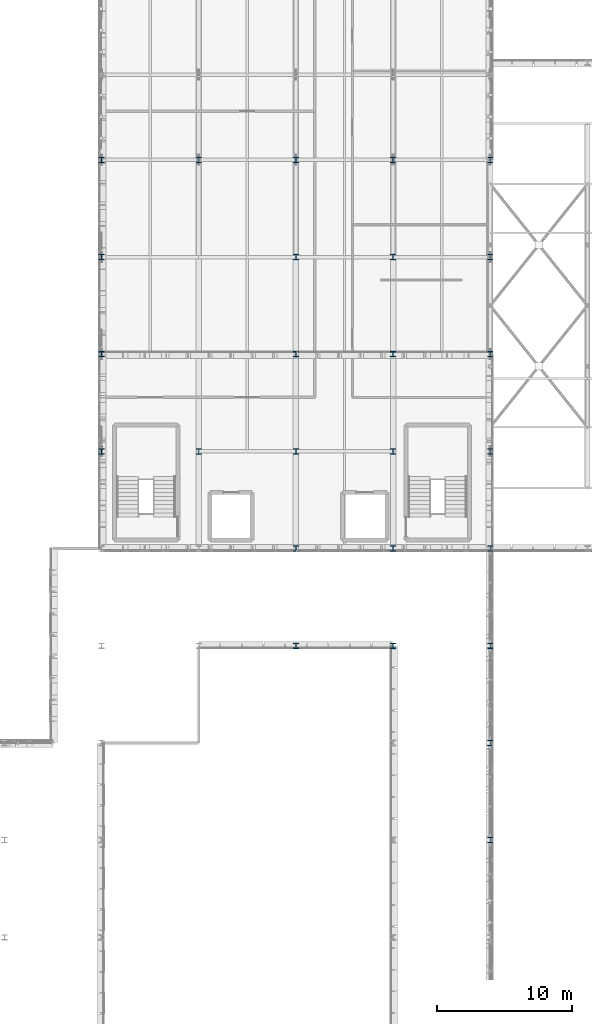
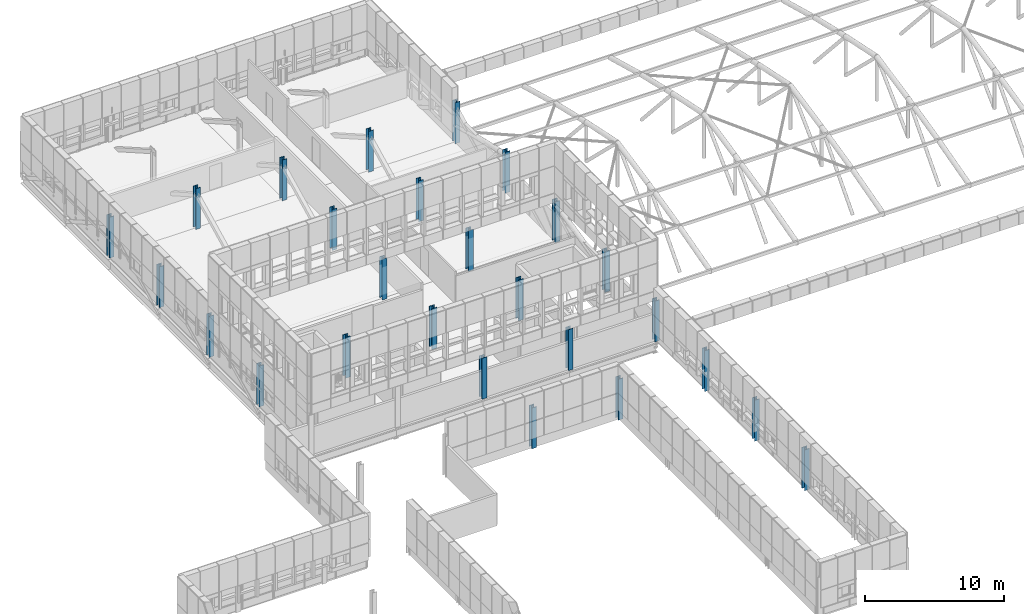
# One storey, part 4 of 96: 26 columns.
"""IFC4 building model written with IfcOpenShell, lengths in metres."""

import ifcopenshell
import ifcopenshell.guid

model = None  # the IFC model being written
_history = None  # IfcOwnerHistory: only IFC2X3 demands one
_inside = {}  # id of a spatial element -> (the spatial element, [elements in it])
_under = {}  # id of a project, library or spatial element -> (it, [spatial elements below it])
_declared = {}  # id of a project -> (the project, [libraries it declares])
_typed = {}  # id of a type object -> (the type object, [elements of that type])
_made_of = {}  # id of a material, layer set ... -> (it, [elements and type objects made of it])


def new_model(schema):
    """Start an empty IFC model of exactly this schema.

    Asked for "IFC4X3", IfcOpenShell would pick the latest addendum, in which some entities
    have other attributes; the version numbers below select the first issue.
    IFC2X3 requires an IfcOwnerHistory on every rooted entity: one is made here for all.
    """
    global model, _history
    if schema == "IFC4X3":
        model = ifcopenshell.file(schema_version=(4, 3, 0, 0))
    else:
        model = ifcopenshell.file(schema=schema)
    _inside.clear()
    _under.clear()
    _declared.clear()
    _typed.clear()
    _made_of.clear()
    _history = None
    if model.schema == "IFC2X3":
        org = make("IfcOrganization", Name="unknown")
        user = make(
            "IfcPersonAndOrganization",
            ThePerson=make("IfcPerson", FamilyName="unknown"),
            TheOrganization=org,
        )
        app = make(
            "IfcApplication",
            ApplicationDeveloper=org,
            Version="unknown",
            ApplicationFullName="unknown",
            ApplicationIdentifier="unknown",
        )
        _history = make(
            "IfcOwnerHistory",
            OwningUser=user,
            OwningApplication=app,
            ChangeAction="ADDED",
            CreationDate=0,
        )
    return model


def make(cls, **values):
    """One entity of the class cls with the attributes given. An attribute that is None is left unset."""
    return model.create_entity(
        cls, **{name: value for name, value in values.items() if value is not None}
    )


def rooted(cls, **values):
    """An entity with a GlobalId (a new one), such as an element, a storey or a relation."""
    return make(cls, GlobalId=ifcopenshell.guid.new(), OwnerHistory=_history, **values)


def si_unit(unit_type, name, prefix=None):
    """IfcSIUnit, for example si_unit("LENGTHUNIT", "METRE", prefix="MILLI")."""
    return make("IfcSIUnit", UnitType=unit_type, Prefix=prefix, Name=name)


def assignment(units):
    """IfcUnitAssignment: the units of a project."""
    return None if units is None else make("IfcUnitAssignment", Units=units)


def point(xyz):
    """IfcCartesianPoint."""
    return None if xyz is None else make("IfcCartesianPoint", Coordinates=xyz)


def direction(xyz):
    """IfcDirection."""
    return None if xyz is None else make("IfcDirection", DirectionRatios=xyz)


def frame(location, z_axis=None, x_axis=None):
    """IfcAxis2Placement3D, a coordinate frame: its origin and axes. An axis left out is left unset."""
    return make(
        "IfcAxis2Placement3D",
        Location=point(location),
        Axis=direction(z_axis),
        RefDirection=direction(x_axis),
    )


def frame_2d(location, x_axis=None):
    """IfcAxis2Placement2D, a coordinate frame in the plane: its origin and x axis."""
    return make(
        "IfcAxis2Placement2D", Location=point(location), RefDirection=direction(x_axis)
    )


def origin():
    """The frame at (0, 0, 0) with its axes left unset."""
    return frame((0.0, 0.0, 0.0))


def origin_2d():
    """The frame at (0, 0) in the plane with its x axis left unset."""
    return frame_2d((0.0, 0.0))


def place(relative_to, where):
    """IfcLocalPlacement: puts the frame where relative to a parent placement (None: the world)."""
    return make(
        "IfcLocalPlacement", PlacementRelTo=relative_to, RelativePlacement=where
    )


def context(
    kind, dimensions, precision=None, world=None, true_north=None, identifier=None
):
    """IfcGeometricRepresentationContext, for example the 3D "Model" context."""
    return make(
        "IfcGeometricRepresentationContext",
        ContextIdentifier=identifier,
        ContextType=kind,
        CoordinateSpaceDimension=dimensions,
        Precision=precision,
        WorldCoordinateSystem=world,
        TrueNorth=true_north,
    )


def subcontext(parent, identifier, kind, view, scale=None):
    """IfcGeometricRepresentationSubContext, for example "Body" below "Model"."""
    return make(
        "IfcGeometricRepresentationSubContext",
        ContextIdentifier=identifier,
        ContextType=kind,
        ParentContext=parent,
        TargetScale=scale,
        TargetView=view,
    )


def project(units=None, contexts=None):
    """IfcProject with its units and contexts."""
    return rooted(
        "IfcProject",
        Name="project",
        RepresentationContexts=contexts,
        UnitsInContext=assignment(units),
    )


def spatial(cls, under=None, at=None, **own):
    """A site, building, storey or space (cls), placed at a placement, below another one or the project."""
    s = rooted(cls, ObjectPlacement=at, **own)
    if under is not None:
        _under.setdefault(under.id(), (under, []))[1].append(s)
    return s


def profile(cls, at=None, kind="AREA", **sizes):
    """A parametric profile (cls). Its sizes go by their IFC names, for example OverallWidth=200.0."""
    return make(cls, ProfileType=kind, Position=at, **sizes)


def i_section(**sizes):
    """IfcIShapeProfileDef."""
    return profile("IfcIShapeProfileDef", **sizes)


def extrude(swept, where, along, depth):
    """IfcExtrudedAreaSolid: the profile swept, set in the frame where, extruded along a direction by depth."""
    return make(
        "IfcExtrudedAreaSolid",
        SweptArea=swept,
        Position=where,
        ExtrudedDirection=direction(along),
        Depth=depth,
    )


def shape(context_of_items, identifier, shape_type, items):
    """IfcShapeRepresentation: the items that make up one representation, for example the "Body"."""
    return make(
        "IfcShapeRepresentation",
        ContextOfItems=context_of_items,
        RepresentationIdentifier=identifier,
        RepresentationType=shape_type,
        Items=items,
    )


def material(Name=None, Category=None):
    """IfcMaterial."""
    return make("IfcMaterial", Name=Name, Category=Category)


def material_profile(
    of_material, cross_section, Name=None, Category=None, Priority=None
):
    """IfcMaterialProfile: a cross section and its material."""
    return make(
        "IfcMaterialProfile",
        Name=Name,
        Material=of_material,
        Profile=cross_section,
        Priority=Priority,
        Category=Category,
    )


def profile_set(profiles, Name=None, composite=None):
    """IfcMaterialProfileSet."""
    return make(
        "IfcMaterialProfileSet",
        Name=Name,
        MaterialProfiles=profiles,
        CompositeProfile=composite,
    )


def made_of(thing, what):
    """Note that an element or type object is made of a material, layer set ...; save() writes the relation."""
    if what is not None:
        _made_of.setdefault(what.id(), (what, []))[1].append(thing)
    return thing


def type_object(cls, material=None, **own):
    """A type object (cls), such as IfcWallType, which elements share."""
    return made_of(rooted(cls, **own), material)


def element(
    cls,
    number,
    at=None,
    inside=None,
    cuts=None,
    type_object=None,
    material=None,
    context=None,
    identifier="Body",
    shape_type=None,
    held_by="IfcProductDefinitionShape",
    body=None,
    shapes=None,
    **own,
):
    """One element of the class cls, such as IfcWall. Its Tag is "e" and its number.

    at: its placement. inside: the storey or other place that contains it. cuts: it is an
    opening in that element (IfcRelVoidsElement). A single representation is given by context,
    identifier, shape_type and body (its items); several are given by shapes. held_by: the class
    of the entity that holds the representations. save() writes the other relations.
    """
    e = rooted(cls, Tag="e%d" % number, ObjectPlacement=at, **own)
    if body is not None:
        shapes = [shape(context, identifier, shape_type, body)]
    if shapes is not None:
        e.Representation = make(held_by, Representations=shapes)
    if inside is not None:
        _inside.setdefault(inside.id(), (inside, []))[1].append(e)
    if cuts is not None:
        rooted(
            "IfcRelVoidsElement", RelatingBuildingElement=cuts, RelatedOpeningElement=e
        )
    if type_object is not None:
        _typed.setdefault(type_object.id(), (type_object, []))[1].append(e)
    return made_of(e, material)


def aggregate(whole, parts):
    """IfcRelAggregates: a whole, such as a stair, and the parts it consists of."""
    return rooted("IfcRelAggregates", RelatingObject=whole, RelatedObjects=parts)


def save(model, path):
    """Write the relations noted so far, then the file.

    IfcRelAggregates (storeys below a building ...), IfcRelContainedInSpatialStructure (elements
    in a storey), IfcRelDefinesByType, IfcRelAssociatesMaterial and IfcRelDeclares: one each for
    every whole, place, type object, material and project.
    """
    for whole, parts in _under.values():
        aggregate(whole, parts)
    for where, things in _inside.values():
        rooted(
            "IfcRelContainedInSpatialStructure",
            RelatedElements=things,
            RelatingStructure=where,
        )
    for kind, things in _typed.values():
        rooted("IfcRelDefinesByType", RelatedObjects=things, RelatingType=kind)
    for what, things in _made_of.values():
        rooted("IfcRelAssociatesMaterial", RelatedObjects=things, RelatingMaterial=what)
    for by, libraries in _declared.values():
        rooted("IfcRelDeclares", RelatingContext=by, RelatedDefinitions=libraries)
    model.write(path)


model = new_model("IFC4")

# Units and contexts
model_context = context("Model", 3, precision=1e-05, world=origin(), true_north=direction((0.0, 1.0)))
body_context = subcontext(model_context, "Body", "Model", "MODEL_VIEW")
ifc_project = project(units=[si_unit("LENGTHUNIT", "METRE"), si_unit("AREAUNIT", "SQUARE_METRE"), si_unit("VOLUMEUNIT", "CUBIC_METRE"), si_unit("PLANEANGLEUNIT", "RADIAN"), si_unit("MASSUNIT", "GRAM", prefix="KILO")], contexts=[model_context])

# Site, building, storey
site_placement = place(None, origin())
site = spatial("IfcSite", under=ifc_project, at=site_placement, CompositionType="ELEMENT")
building_placement = place(site_placement, origin())
building = spatial("IfcBuilding", under=site, at=building_placement, Name="Yarey Park Central Fire Station", CompositionType="ELEMENT")
storey_placement = place(building_placement, frame((0.0, 0.0, 14.39990234375)))
storey = spatial("IfcBuildingStorey", under=building, at=storey_placement, Name="L04", CompositionType="ELEMENT", Elevation=14.39990234375)

# Columns
ifc_material = material(Name="Steel ASTM A992 Gr. 50", Category="steel")
ifc_material_profile_1 = material_profile(ifc_material, i_section(OverallWidth=0.404052734375, OverallDepth=0.406982421875, WebThickness=0.027099609375, FlangeThickness=0.043701171875, at=origin_2d()), Name="W360x347")
ifc_profile_set_1 = profile_set([ifc_material_profile_1], Name="Steel ASTM A992 Gr. 50")
column_type_1 = type_object("IfcColumnType", Name="STR_COL_W360_EXT", PredefinedType="COLUMN", material=ifc_profile_set_1)
for number, where, z_axis, x_axis, name in (
    (1, (28.800048828125, 86.39990234375, 0.0), (0.0, 0.0, 1.0), (1.0, 0.0, 0.0), "COL_L04_X288_Y864"),
    (2, (36.0, 86.39990234375, 0.0), (0.0, 0.0, 1.0), (1.0, 0.0, 0.0), "COL_L04_X360_Y864"),
    (3, (43.199951171875, 86.39990234375, 0.0), (0.0, 0.0, 1.0), (1.0, 0.0, 0.0), "COL_L04_X432_Y864"),
    (4, (50.39990234375, 86.39990234375, 0.0), (0.0, 0.0, 1.0), (1.0, 0.0, 0.0), "COL_L04_X504_Y864"),
    (5, (57.60009765625, 36.0, 0.0), (0.0, 0.0, 1.0), (1.0, 0.0, 0.0), "COL_L04_X576_Y360"),
    (6, (57.60009765625, 43.199951171875, 0.0), (0.0, 0.0, 1.0), (1.0, 0.0, 0.0), "COL_L04_X576_Y432"),
    (7, (57.60009765625, 50.39990234375, 0.0), (0.0, 0.0, 1.0), (1.0, 0.0, 0.0), "COL_L04_X576_Y504"),
    (8, (57.60009765625, 57.60009765625, 0.0), (0.0, 0.0, 1.0), (1.0, 0.0, 0.0), "COL_L04_X576_Y576"),
    (9, (57.60009765625, 64.800048828125, 0.0), (0.0, 0.0, 1.0), (1.0, 0.0, 0.0), "COL_L04_X576_Y648"),
    (10, (57.60009765625, 72.0, 0.0), (0.0, 0.0, 1.0), (1.0, 0.0, 0.0), "COL_L04_X576_Y720"),
    (11, (57.60009765625, 79.199951171875, 0.0), (0.0, 0.0, 1.0), (1.0, 0.0, 0.0), "COL_L04_X576_Y792"),
    (12, (57.60009765625, 86.39990234375, 0.0), (0.0, 0.0, 1.0), (1.0, 0.0, 0.0), "COL_L04_X576_Y864"),
):
    element("IfcColumn", number, at=place(storey_placement, frame(where, z_axis=z_axis, x_axis=x_axis)), inside=storey, type_object=column_type_1, Name=name, PredefinedType="COLUMN", context=body_context, shape_type="SweptSolid", body=[
        extrude(i_section(OverallWidth=0.404052734375, OverallDepth=0.406982421875, WebThickness=0.027099609375, FlangeThickness=0.043701171875, at=origin_2d()), origin(), (0.0, 0.0, 1.0), 3.60009765625),
    ])
ifc_material_profile_2 = material_profile(ifc_material, i_section(OverallWidth=0.404052734375, OverallDepth=0.406982421875, WebThickness=0.027099609375, FlangeThickness=0.043701171875, at=origin_2d()), Name="W360x347")
ifc_profile_set_2 = profile_set([ifc_material_profile_2], Name="Steel ASTM A992 Gr. 50")
column_type_2 = type_object("IfcColumnType", Name="STR_COL_W360_INT", PredefinedType="COLUMN", material=ifc_profile_set_2)
for number, where, z_axis, x_axis, name in (
    (13, (28.800048828125, 64.800048828125, 0.0), (0.0, 0.0, 1.0), (1.0, 0.0, 0.0), "COL_L04_X288_Y648"),
    (14, (28.800048828125, 72.0, 0.0), (0.0, 0.0, 1.0), (1.0, 0.0, 0.0), "COL_L04_X288_Y720"),
    (15, (28.800048828125, 79.199951171875, 0.0), (0.0, 0.0, 1.0), (1.0, 0.0, 0.0), "COL_L04_X288_Y792"),
    (16, (36.0, 64.800048828125, 0.0), (0.0, 0.0, 1.0), (1.0, 0.0, 0.0), "COL_L04_X360_Y648"),
    (17, (43.199951171875, 50.39990234375, 0.0), (0.0, 0.0, 1.0), (1.0, 0.0, 0.0), "COL_L04_X432_Y504"),
    (18, (43.199951171875, 57.60009765625, 0.0), (0.0, 0.0, 1.0), (1.0, 0.0, 0.0), "COL_L04_X432_Y576"),
    (19, (43.199951171875, 64.800048828125, 0.0), (0.0, 0.0, 1.0), (1.0, 0.0, 0.0), "COL_L04_X432_Y648"),
    (20, (43.199951171875, 72.0, 0.0), (0.0, 0.0, 1.0), (1.0, 0.0, 0.0), "COL_L04_X432_Y720"),
    (21, (43.199951171875, 79.199951171875, 0.0), (0.0, 0.0, 1.0), (1.0, 0.0, 0.0), "COL_L04_X432_Y792"),
    (22, (50.39990234375, 50.39990234375, 0.0), (0.0, 0.0, 1.0), (1.0, 0.0, 0.0), "COL_L04_X504_Y504"),
    (23, (50.39990234375, 57.60009765625, 0.0), (0.0, 0.0, 1.0), (1.0, 0.0, 0.0), "COL_L04_X504_Y576"),
    (24, (50.39990234375, 64.800048828125, 0.0), (0.0, 0.0, 1.0), (1.0, 0.0, 0.0), "COL_L04_X504_Y648"),
    (25, (50.39990234375, 72.0, 0.0), (0.0, 0.0, 1.0), (1.0, 0.0, 0.0), "COL_L04_X504_Y720"),
    (26, (50.39990234375, 79.199951171875, 0.0), (0.0, 0.0, 1.0), (1.0, 0.0, 0.0), "COL_L04_X504_Y792"),
):
    element("IfcColumn", number, at=place(storey_placement, frame(where, z_axis=z_axis, x_axis=x_axis)), inside=storey, type_object=column_type_2, Name=name, PredefinedType="COLUMN", context=body_context, shape_type="SweptSolid", body=[
        extrude(i_section(OverallWidth=0.404052734375, OverallDepth=0.406982421875, WebThickness=0.027099609375, FlangeThickness=0.043701171875, at=origin_2d()), origin(), (0.0, 0.0, 1.0), 3.60009765625),
    ])

save(model, "model.ifc")
